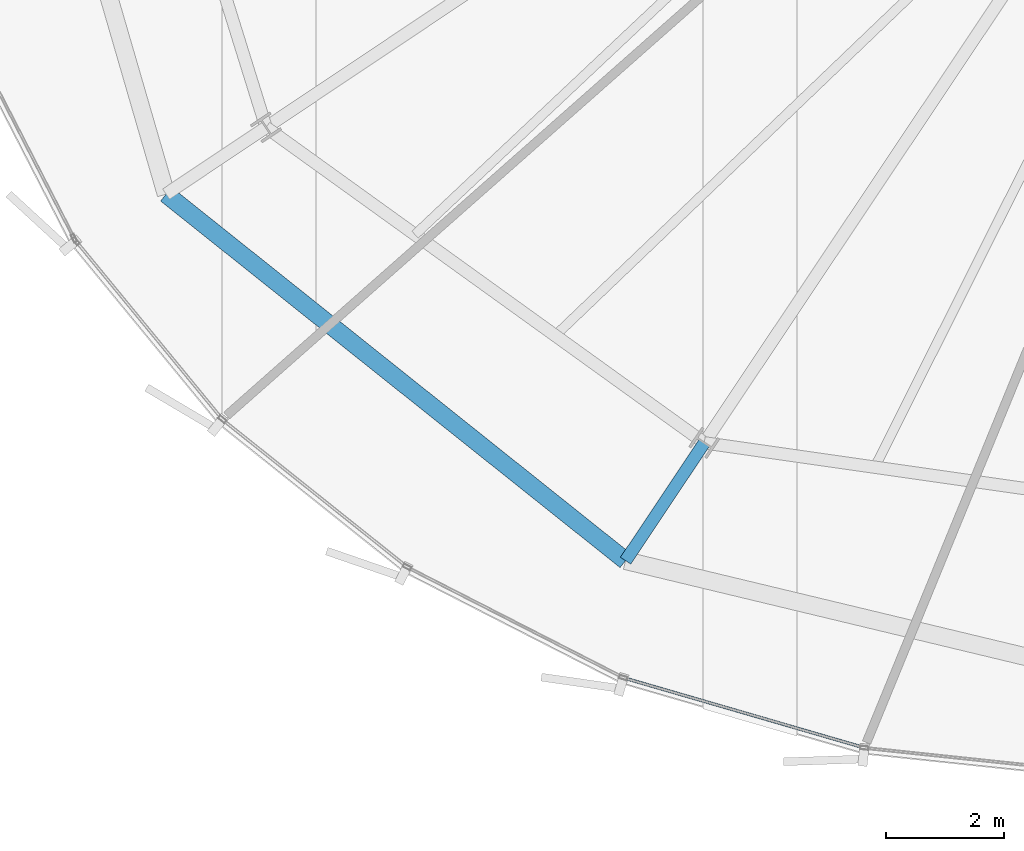
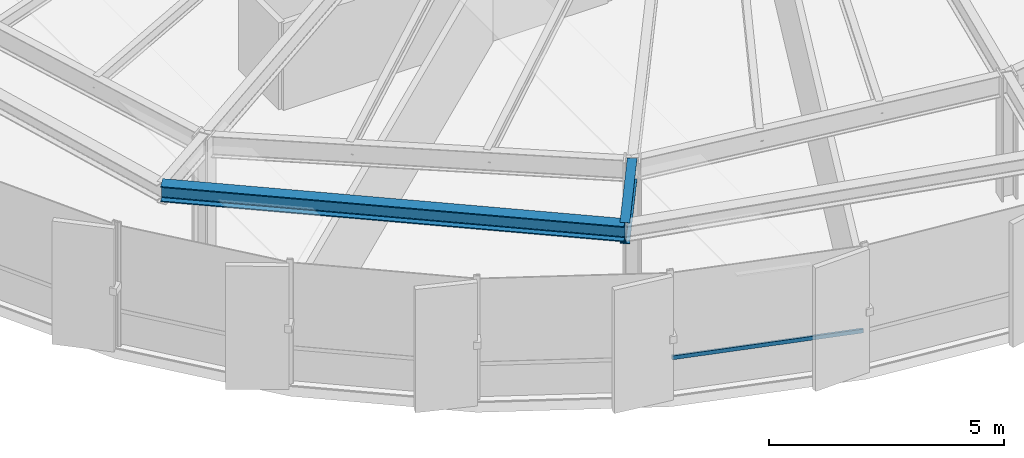
# One storey, part 3 of 35: 2 beams, 1 member, 1 element without a shape of its own.
"""IFC4 building model written with IfcOpenShell, lengths in metres."""

from ifc_helpers import new_model, si_unit, direction, frame, origin, origin_2d, place, context, subcontext, project, spatial, hollow_rectangle, i_section, extrude, source, transform, mapped, material, layer, layer_set, material_profile, profile_set, type_object, element, aggregate, save


model = new_model("IFC4")

# Units and contexts
model_context = context("Model", 3, precision=1e-05, world=origin(), true_north=direction((0.0, 1.0)))
body_context = subcontext(model_context, "Body", "Model", "MODEL_VIEW")
ifc_project = project(units=[si_unit("LENGTHUNIT", "METRE"), si_unit("AREAUNIT", "SQUARE_METRE"), si_unit("VOLUMEUNIT", "CUBIC_METRE"), si_unit("PLANEANGLEUNIT", "RADIAN"), si_unit("MASSUNIT", "GRAM", prefix="KILO"), si_unit("THERMODYNAMICTEMPERATUREUNIT", "KELVIN")], contexts=[model_context])

# Site, building, storey
site_placement = place(None, origin())
site = spatial("IfcSite", under=ifc_project, at=site_placement, CompositionType="ELEMENT")
building_placement = place(site_placement, origin())
building = spatial("IfcBuilding", under=site, at=building_placement, Name="Kethvar Cultural Tower", CompositionType="ELEMENT")
storey_placement = place(building_placement, frame((0.0, 0.0, 167.85009765625)))
storey = spatial("IfcBuildingStorey", under=building, at=storey_placement, Name="L43", CompositionType="ELEMENT", Elevation=167.85009765625)

# Beams
ifc_material_1 = material(Name="Steel S355J2", Category="steel")
ifc_material_profile_1 = material_profile(ifc_material_1, i_section(OverallWidth=0.2099609375, OverallDepth=0.550048828125, WebThickness=0.010986328125, FlangeThickness=0.01708984375, FilletRadius=0.02392578125, at=origin_2d()), Name="Steel S355J2 — IPE550")
ifc_profile_set_1 = profile_set([ifc_material_profile_1], Name="Steel S355J2 — IPE550")
beam_type_1 = type_object("IfcBeamType", Name="BM-IPE550", PredefinedType="BEAM", material=ifc_profile_set_1)
shared_shape_1 = source(origin(), body_context, "Body", "SweptSolid", [
    extrude(i_section(OverallWidth=0.2099609375, OverallDepth=0.550048828125, WebThickness=0.010986328125, FlangeThickness=0.01708984375, FilletRadius=0.02392578125, at=origin_2d()), origin(), (0.0, 0.0, 1.0), 2.40283203125),
])
beam_1_placement = place(storey_placement, frame((34.350830078125, 9.16845703125, 2.962890625), z_axis=(-0.555590899531, -0.83145580301, 0.0), x_axis=(0.83145580301, -0.555590899531, 0.0)))
element("IfcBeam", 1, at=beam_1_placement, inside=storey, type_object=beam_type_1, Name="L43 Perimeter Cantilever Beam RC-11", PredefinedType="BEAM", context=body_context, shape_type="MappedRepresentation", body=[
    mapped(shared_shape_1, transform((0.0, 0.0, 0.0), scale=1.0)),
])
ifc_material_profile_2 = material_profile(ifc_material_1, i_section(OverallWidth=0.300048828125, OverallDepth=0.39990234375, WebThickness=0.013427734375, FlangeThickness=0.02392578125, FilletRadius=0.027099609375, at=origin_2d()), Name="Steel S355J2 — HEB400")
ifc_profile_set_2 = profile_set([ifc_material_profile_2], Name="Steel S355J2 — HEB400")
beam_type_2 = type_object("IfcBeamType", Name="BM-SP400", PredefinedType="SPANDREL", material=ifc_profile_set_2)
shared_shape_2 = source(origin(), body_context, "Body", "SweptSolid", [
    extrude(i_section(OverallWidth=0.300048828125, OverallDepth=0.39990234375, WebThickness=0.013427734375, FlangeThickness=0.02392578125, FilletRadius=0.027099609375, at=origin_2d()), origin(), (0.0, 0.0, 1.0), 9.96484375),
])
beam_2_placement = place(storey_placement, frame((25.22607421875, 13.384765625, 3.037841796875), z_axis=(0.781735730548, -0.623609852059, 0.0), x_axis=(0.623609852059, 0.781735730548, 0.0)))
element("IfcBeam", 2, at=beam_2_placement, inside=storey, type_object=beam_type_2, Name="L43 Perimeter Spandrel Beam SP-10", PredefinedType="SPANDREL", context=body_context, shape_type="MappedRepresentation", body=[
    mapped(shared_shape_2, transform((0.0, 0.0, 0.0), scale=1.0)),
])

# Curtain wall, member
ifc_material_2 = material(Name="Aluminium 6063-T6", Category="aluminium")
ifc_layer = layer(ifc_material_2, 0.179931640625, Name="Aluminium 6063-T6", Category="aluminium")
ifc_layer_set = layer_set([ifc_layer], Name="Aluminium 6063-T6 (180 mm)")
curtain_wall_type = type_object("IfcCurtainWallType", Name="CW-SYS-04-Z34", PredefinedType="NOTDEFINED", material=ifc_layer_set)
curtain_wall_placement = place(storey_placement, origin())
curtain_wall = element("IfcCurtainWall", 3, at=curtain_wall_placement, inside=storey, type_object=curtain_wall_type, Name="L43 Curtain Wall Run 04", PredefinedType="NOTDEFINED")
ifc_material_profile_3 = material_profile(ifc_material_2, hollow_rectangle(XDim=0.050048828125, YDim=0.10009765625, WallThickness=0.00390625, at=origin_2d()), Name="Aluminium 6063-T6 — RHS100x50x4")
ifc_profile_set_3 = profile_set([ifc_material_profile_3], Name="Aluminium 6063-T6 — RHS100x50x4")
member_type = type_object("IfcMemberType", Name="CW-SYS-04-Z34-TRN", PredefinedType="USERDEFINED", material=ifc_profile_set_3)
shared_shape_3 = source(origin(), body_context, "Body", "SweptSolid", [
    extrude(hollow_rectangle(XDim=0.050048828125, YDim=0.10009765625, WallThickness=0.00390625, at=origin_2d()), origin(), (0.0, 0.0, 1.0), 4.18896484375),
])
member_placement = place(storey_placement, frame((33.01904296875, 5.173583984375, 0.949951171875), z_axis=(0.96029385772, -0.278990513862, 0.0), x_axis=(0.278990513862, 0.96029385772, 0.0)))
member = element("IfcMember", 4, at=member_placement, type_object=member_type, Name="CW-L43-R04 Transom 4", ObjectType="TRANSOM", PredefinedType="USERDEFINED", context=body_context, shape_type="MappedRepresentation", body=[
    mapped(shared_shape_3, transform((0.0, 0.0, 0.0), scale=1.0)),
])
aggregate(curtain_wall, [member])

save(model, "model.ifc")
